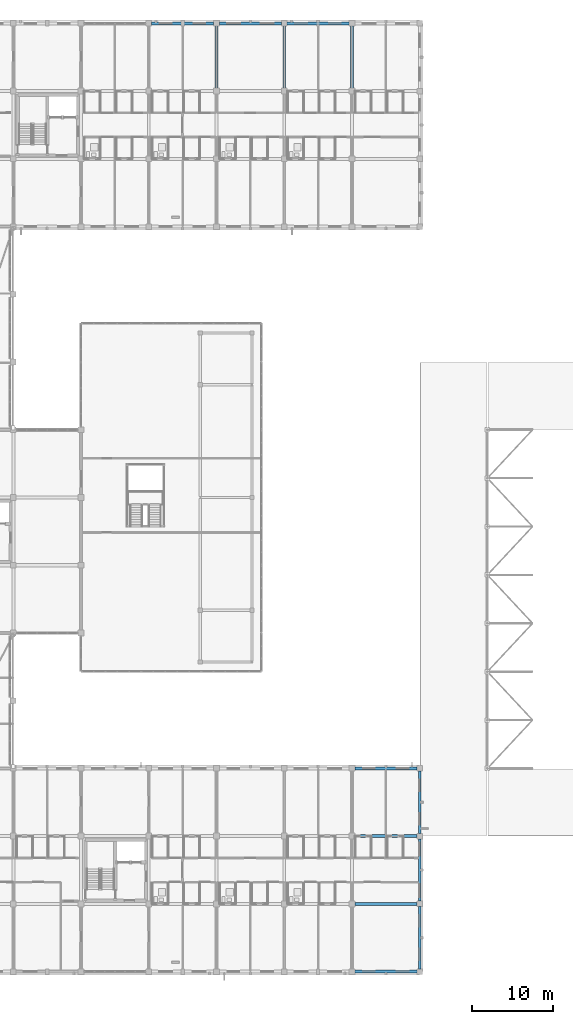
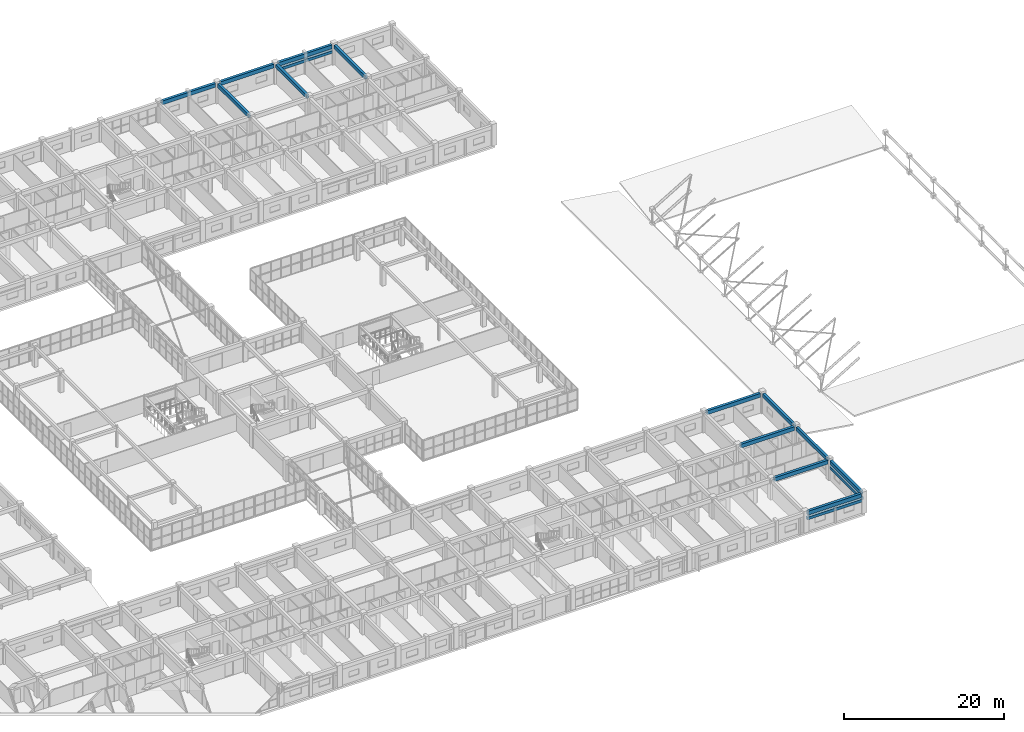
# One storey, part 87 of 148: 16 beams.
"""IFC4 building model written with IfcOpenShell, lengths in metres."""

from ifc_helpers import new_model, si_unit, direction, frame, origin, origin_2d, place, context, subcontext, project, spatial, rectangle, extrude, material, material_profile, profile_set, type_object, element, save


model = new_model("IFC4")

# Units and contexts
model_context = context("Model", 3, precision=1e-05, world=origin(), true_north=direction((0.0, 1.0)))
body_context = subcontext(model_context, "Body", "Model", "MODEL_VIEW")
ifc_project = project(units=[si_unit("LENGTHUNIT", "METRE"), si_unit("AREAUNIT", "SQUARE_METRE"), si_unit("VOLUMEUNIT", "CUBIC_METRE"), si_unit("PLANEANGLEUNIT", "RADIAN"), si_unit("MASSUNIT", "GRAM", prefix="KILO")], contexts=[model_context])

# Site, building, storey
site_placement = place(None, origin())
site = spatial("IfcSite", under=ifc_project, at=site_placement, CompositionType="ELEMENT")
building_placement = place(site_placement, origin())
building = spatial("IfcBuilding", under=site, at=building_placement, Name="Trelvath General Hospital", CompositionType="ELEMENT")
storey_placement = place(building_placement, frame((0.0, 0.0, 12.89990234375)))
storey = spatial("IfcBuildingStorey", under=building, at=storey_placement, Name="L03", CompositionType="ELEMENT", Elevation=12.89990234375)

# Beams
ifc_material_1 = material(Name="Concrete C35/45", Category="concrete")
ifc_material_profile_1 = material_profile(ifc_material_1, rectangle(XDim=0.360107421875, YDim=0.56005859375, at=origin_2d()), Name="RCB360x560")
ifc_profile_set_1 = profile_set([ifc_material_profile_1], Name="Concrete C35/45")
beam_type_1 = type_object("IfcBeamType", Name="Beam RC360x560", PredefinedType="BEAM", material=ifc_profile_set_1)
for number, where, z_axis, x_axis, name in (
    (1, (109.199951171875, 109.554931640625, 2.739990234375), (0.0, 1.0, 0.0), (-1.0, 0.0, 0.0), "Grid Beam BY-313N"),
    (2, (117.60009765625, 109.554931640625, 2.739990234375), (0.0, 1.0, 0.0), (-1.0, 0.0, 0.0), "Grid Beam BY-314N"),
    (3, (126.0, 109.554931640625, 2.739990234375), (0.0, 1.0, 0.0), (-1.0, 0.0, 0.0), "Grid Beam BY-315N"),
):
    element("IfcBeam", number, at=place(storey_placement, frame(where, z_axis=z_axis, x_axis=x_axis)), inside=storey, type_object=beam_type_1, Name=name, PredefinedType="BEAM", context=body_context, shape_type="SweptSolid", body=[
        extrude(rectangle(XDim=0.360107421875, YDim=0.56005859375, at=origin_2d()), origin(), (0.0, 0.0, 1.0), 7.699951171875),
    ])
for number, where, z_axis, x_axis, name in (
    (4, (134.39990234375, 0.344970703125, 2.739990234375), (0.0, 1.0, 0.0), (-1.0, 0.0, 0.0), "Grid Beam BY-316A"),
    (5, (134.39990234375, 8.7451171875, 2.739990234375), (0.0, 1.0, 0.0), (-1.0, 0.0, 0.0), "Grid Beam BY-316B"),
    (6, (134.39990234375, 17.14501953125, 2.739990234375), (0.0, 1.0, 0.0), (-1.0, 0.0, 0.0), "Grid Beam BY-316C"),
):
    element("IfcBeam", number, at=place(storey_placement, frame(where, z_axis=z_axis, x_axis=x_axis)), inside=storey, type_object=beam_type_1, Name=name, PredefinedType="BEAM", context=body_context, shape_type="SweptSolid", body=[
        extrude(rectangle(XDim=0.360107421875, YDim=0.56005859375, at=origin_2d()), origin(), (0.0, 0.0, 1.0), 7.7099609375),
    ])
ifc_material_2 = material(Name="Concrete C35/45", Category="concrete")
ifc_material_profile_2 = material_profile(ifc_material_2, rectangle(XDim=0.3798828125, YDim=0.580078125, at=origin_2d()), Name="RCB380x580")
ifc_profile_set_2 = profile_set([ifc_material_profile_2], Name="Concrete C35/45")
beam_type_2 = type_object("IfcBeamType", Name="Beam RC380x580", PredefinedType="BEAM", material=ifc_profile_set_2)
for number, where, z_axis, x_axis, name in (
    (7, (101.14501953125, 117.60009765625, 2.72998046875), (1.0, 0.0, 0.0), (0.0, 1.0, 0.0), "Grid Beam BX-312O"),
    (8, (109.544921875, 117.60009765625, 2.72998046875), (1.0, 0.0, 0.0), (0.0, 1.0, 0.0), "Grid Beam BX-313O"),
    (9, (117.945068359375, 117.60009765625, 2.72998046875), (1.0, 0.0, 0.0), (0.0, 1.0, 0.0), "Grid Beam BX-314O"),
    (10, (126.344970703125, 0.0, 2.72998046875), (1.0, 0.0, 0.0), (0.0, 1.0, 0.0), "Grid Beam BX-315A"),
):
    element("IfcBeam", number, at=place(storey_placement, frame(where, z_axis=z_axis, x_axis=x_axis)), inside=storey, type_object=beam_type_2, Name=name, PredefinedType="BEAM", context=body_context, shape_type="SweptSolid", body=[
        extrude(rectangle(XDim=0.3798828125, YDim=0.580078125, at=origin_2d()), origin(), (0.0, 0.0, 1.0), 7.7099609375),
    ])
for number, where, z_axis, x_axis, name in (
    (11, (126.35498046875, 8.39990234375, 2.72998046875), (1.0, 0.0, 0.0), (0.0, 1.0, 0.0), "Grid Beam BX-315B"),
    (12, (126.35498046875, 16.800048828125, 2.72998046875), (1.0, 0.0, 0.0), (0.0, 1.0, 0.0), "Grid Beam BX-315C"),
):
    element("IfcBeam", number, at=place(storey_placement, frame(where, z_axis=z_axis, x_axis=x_axis)), inside=storey, type_object=beam_type_2, Name=name, PredefinedType="BEAM", context=body_context, shape_type="SweptSolid", body=[
        extrude(rectangle(XDim=0.3798828125, YDim=0.580078125, at=origin_2d()), origin(), (0.0, 0.0, 1.0), 7.699951171875),
    ])
beam_placement = place(storey_placement, frame((126.344970703125, 25.199951171875, 2.72998046875), z_axis=(1.0, 0.0, 0.0), x_axis=(0.0, 1.0, 0.0)))
element("IfcBeam", 13, at=beam_placement, inside=storey, type_object=beam_type_2, Name="Grid Beam BX-315D", PredefinedType="BEAM", context=body_context, shape_type="SweptSolid", body=[
    extrude(rectangle(XDim=0.3798828125, YDim=0.580078125, at=origin_2d()), origin(), (0.0, 0.0, 1.0), 7.7099609375),
])
ifc_material_3 = material(Name="Precast concrete C40/50", Category="concrete")
ifc_material_profile_3 = material_profile(ifc_material_3, rectangle(XDim=0.35009765625, YDim=0.419921875, at=origin_2d()), Name="PCL350x420")
ifc_profile_set_3 = profile_set([ifc_material_profile_3], Name="Precast concrete C40/50")
beam_type_3 = type_object("IfcBeamType", Name="Lintel PC350x420", PredefinedType="LINTEL", material=ifc_profile_set_3)
for number, where, z_axis, x_axis, name in (
    (14, (117.864990234375, 117.60009765625, 1.920166015625), (1.0, 0.0, 0.0), (0.0, 1.0, 0.0), "Precast Window Brow Lintel L03-409"),
    (15, (134.135009765625, 0.0, 1.920166015625), (-1.0, 0.0, 0.0), (0.0, -1.0, 0.0), "Precast Window Brow Lintel L03-410"),
    (16, (134.39990234375, 8.135009765625, 1.920166015625), (0.0, -1.0, 0.0), (1.0, 0.0, 0.0), "Precast Window Brow Lintel L03-411"),
):
    element("IfcBeam", number, at=place(storey_placement, frame(where, z_axis=z_axis, x_axis=x_axis)), inside=storey, type_object=beam_type_3, Name=name, PredefinedType="LINTEL", context=body_context, shape_type="SweptSolid", body=[
        extrude(rectangle(XDim=0.35009765625, YDim=0.419921875, at=origin_2d()), origin(), (0.0, 0.0, 1.0), 7.8701171875),
    ])

save(model, "model.ifc")
